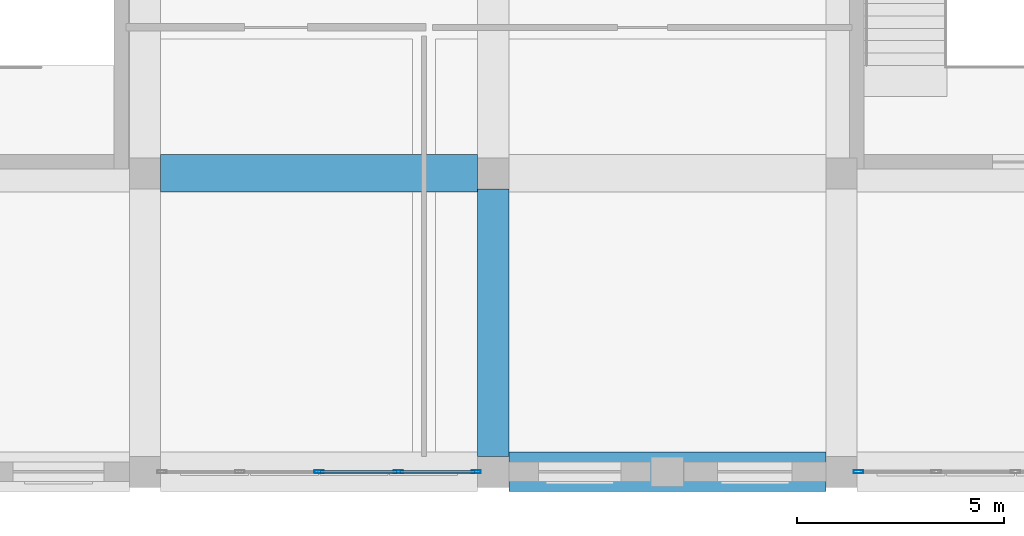
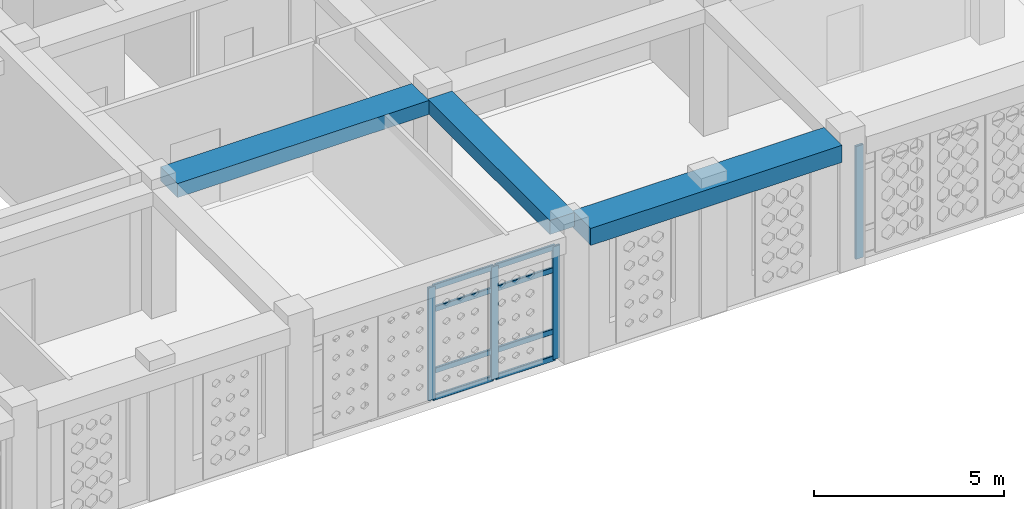
# One storey, part 24 of 111: 12 members, 3 beams, 2 elements without a shape of their own.
"""IFC4 building model written with IfcOpenShell, lengths in metres."""

import ifcopenshell
import ifcopenshell.guid

model = None  # the IFC model being written
_history = None  # IfcOwnerHistory: only IFC2X3 demands one
_inside = {}  # id of a spatial element -> (the spatial element, [elements in it])
_under = {}  # id of a project, library or spatial element -> (it, [spatial elements below it])
_declared = {}  # id of a project -> (the project, [libraries it declares])
_typed = {}  # id of a type object -> (the type object, [elements of that type])
_made_of = {}  # id of a material, layer set ... -> (it, [elements and type objects made of it])


def new_model(schema):
    """Start an empty IFC model of exactly this schema.

    Asked for "IFC4X3", IfcOpenShell would pick the latest addendum, in which some entities
    have other attributes; the version numbers below select the first issue.
    IFC2X3 requires an IfcOwnerHistory on every rooted entity: one is made here for all.
    """
    global model, _history
    if schema == "IFC4X3":
        model = ifcopenshell.file(schema_version=(4, 3, 0, 0))
    else:
        model = ifcopenshell.file(schema=schema)
    _inside.clear()
    _under.clear()
    _declared.clear()
    _typed.clear()
    _made_of.clear()
    _history = None
    if model.schema == "IFC2X3":
        org = make("IfcOrganization", Name="unknown")
        user = make(
            "IfcPersonAndOrganization",
            ThePerson=make("IfcPerson", FamilyName="unknown"),
            TheOrganization=org,
        )
        app = make(
            "IfcApplication",
            ApplicationDeveloper=org,
            Version="unknown",
            ApplicationFullName="unknown",
            ApplicationIdentifier="unknown",
        )
        _history = make(
            "IfcOwnerHistory",
            OwningUser=user,
            OwningApplication=app,
            ChangeAction="ADDED",
            CreationDate=0,
        )
    return model


def make(cls, **values):
    """One entity of the class cls with the attributes given. An attribute that is None is left unset."""
    return model.create_entity(
        cls, **{name: value for name, value in values.items() if value is not None}
    )


def rooted(cls, **values):
    """An entity with a GlobalId (a new one), such as an element, a storey or a relation."""
    return make(cls, GlobalId=ifcopenshell.guid.new(), OwnerHistory=_history, **values)


def si_unit(unit_type, name, prefix=None):
    """IfcSIUnit, for example si_unit("LENGTHUNIT", "METRE", prefix="MILLI")."""
    return make("IfcSIUnit", UnitType=unit_type, Prefix=prefix, Name=name)


def derived_unit(unit_type, elements):
    """IfcDerivedUnit: a product of units, each with its exponent."""
    return make(
        "IfcDerivedUnit",
        Elements=[
            make("IfcDerivedUnitElement", Unit=unit, Exponent=power)
            for unit, power in elements
        ],
        UnitType=unit_type,
    )


def assignment(units):
    """IfcUnitAssignment: the units of a project."""
    return None if units is None else make("IfcUnitAssignment", Units=units)


def point(xyz):
    """IfcCartesianPoint."""
    return None if xyz is None else make("IfcCartesianPoint", Coordinates=xyz)


def direction(xyz):
    """IfcDirection."""
    return None if xyz is None else make("IfcDirection", DirectionRatios=xyz)


def frame(location, z_axis=None, x_axis=None):
    """IfcAxis2Placement3D, a coordinate frame: its origin and axes. An axis left out is left unset."""
    return make(
        "IfcAxis2Placement3D",
        Location=point(location),
        Axis=direction(z_axis),
        RefDirection=direction(x_axis),
    )


def frame_2d(location, x_axis=None):
    """IfcAxis2Placement2D, a coordinate frame in the plane: its origin and x axis."""
    return make(
        "IfcAxis2Placement2D", Location=point(location), RefDirection=direction(x_axis)
    )


def origin():
    """The frame at (0, 0, 0) with its axes left unset."""
    return frame((0.0, 0.0, 0.0))


def origin_2d():
    """The frame at (0, 0) in the plane with its x axis left unset."""
    return frame_2d((0.0, 0.0))


def place(relative_to, where):
    """IfcLocalPlacement: puts the frame where relative to a parent placement (None: the world)."""
    return make(
        "IfcLocalPlacement", PlacementRelTo=relative_to, RelativePlacement=where
    )


def context(
    kind, dimensions, precision=None, world=None, true_north=None, identifier=None
):
    """IfcGeometricRepresentationContext, for example the 3D "Model" context."""
    return make(
        "IfcGeometricRepresentationContext",
        ContextIdentifier=identifier,
        ContextType=kind,
        CoordinateSpaceDimension=dimensions,
        Precision=precision,
        WorldCoordinateSystem=world,
        TrueNorth=true_north,
    )


def subcontext(parent, identifier, kind, view, scale=None):
    """IfcGeometricRepresentationSubContext, for example "Body" below "Model"."""
    return make(
        "IfcGeometricRepresentationSubContext",
        ContextIdentifier=identifier,
        ContextType=kind,
        ParentContext=parent,
        TargetScale=scale,
        TargetView=view,
    )


def project(units=None, contexts=None):
    """IfcProject with its units and contexts."""
    return rooted(
        "IfcProject",
        Name="project",
        RepresentationContexts=contexts,
        UnitsInContext=assignment(units),
    )


def spatial(cls, under=None, at=None, **own):
    """A site, building, storey or space (cls), placed at a placement, below another one or the project."""
    s = rooted(cls, ObjectPlacement=at, **own)
    if under is not None:
        _under.setdefault(under.id(), (under, []))[1].append(s)
    return s


def profile(cls, at=None, kind="AREA", **sizes):
    """A parametric profile (cls). Its sizes go by their IFC names, for example OverallWidth=200.0."""
    return make(cls, ProfileType=kind, Position=at, **sizes)


def rectangle(**sizes):
    """IfcRectangleProfileDef."""
    return profile("IfcRectangleProfileDef", **sizes)


def hollow_rectangle(**sizes):
    """IfcRectangleHollowProfileDef."""
    return profile("IfcRectangleHollowProfileDef", **sizes)


def extrude(swept, where, along, depth):
    """IfcExtrudedAreaSolid: the profile swept, set in the frame where, extruded along a direction by depth."""
    return make(
        "IfcExtrudedAreaSolid",
        SweptArea=swept,
        Position=where,
        ExtrudedDirection=direction(along),
        Depth=depth,
    )


def shape(context_of_items, identifier, shape_type, items):
    """IfcShapeRepresentation: the items that make up one representation, for example the "Body"."""
    return make(
        "IfcShapeRepresentation",
        ContextOfItems=context_of_items,
        RepresentationIdentifier=identifier,
        RepresentationType=shape_type,
        Items=items,
    )


def material(Name=None, Category=None):
    """IfcMaterial."""
    return make("IfcMaterial", Name=Name, Category=Category)


def material_profile(
    of_material, cross_section, Name=None, Category=None, Priority=None
):
    """IfcMaterialProfile: a cross section and its material."""
    return make(
        "IfcMaterialProfile",
        Name=Name,
        Material=of_material,
        Profile=cross_section,
        Priority=Priority,
        Category=Category,
    )


def profile_set(profiles, Name=None, composite=None):
    """IfcMaterialProfileSet."""
    return make(
        "IfcMaterialProfileSet",
        Name=Name,
        MaterialProfiles=profiles,
        CompositeProfile=composite,
    )


def made_of(thing, what):
    """Note that an element or type object is made of a material, layer set ...; save() writes the relation."""
    if what is not None:
        _made_of.setdefault(what.id(), (what, []))[1].append(thing)
    return thing


def type_object(cls, material=None, **own):
    """A type object (cls), such as IfcWallType, which elements share."""
    return made_of(rooted(cls, **own), material)


def element(
    cls,
    number,
    at=None,
    inside=None,
    cuts=None,
    type_object=None,
    material=None,
    context=None,
    identifier="Body",
    shape_type=None,
    held_by="IfcProductDefinitionShape",
    body=None,
    shapes=None,
    **own,
):
    """One element of the class cls, such as IfcWall. Its Tag is "e" and its number.

    at: its placement. inside: the storey or other place that contains it. cuts: it is an
    opening in that element (IfcRelVoidsElement). A single representation is given by context,
    identifier, shape_type and body (its items); several are given by shapes. held_by: the class
    of the entity that holds the representations. save() writes the other relations.
    """
    e = rooted(cls, Tag="e%d" % number, ObjectPlacement=at, **own)
    if body is not None:
        shapes = [shape(context, identifier, shape_type, body)]
    if shapes is not None:
        e.Representation = make(held_by, Representations=shapes)
    if inside is not None:
        _inside.setdefault(inside.id(), (inside, []))[1].append(e)
    if cuts is not None:
        rooted(
            "IfcRelVoidsElement", RelatingBuildingElement=cuts, RelatedOpeningElement=e
        )
    if type_object is not None:
        _typed.setdefault(type_object.id(), (type_object, []))[1].append(e)
    return made_of(e, material)


def aggregate(whole, parts):
    """IfcRelAggregates: a whole, such as a stair, and the parts it consists of."""
    return rooted("IfcRelAggregates", RelatingObject=whole, RelatedObjects=parts)


def save(model, path):
    """Write the relations noted so far, then the file.

    IfcRelAggregates (storeys below a building ...), IfcRelContainedInSpatialStructure (elements
    in a storey), IfcRelDefinesByType, IfcRelAssociatesMaterial and IfcRelDeclares: one each for
    every whole, place, type object, material and project.
    """
    for whole, parts in _under.values():
        aggregate(whole, parts)
    for where, things in _inside.values():
        rooted(
            "IfcRelContainedInSpatialStructure",
            RelatedElements=things,
            RelatingStructure=where,
        )
    for kind, things in _typed.values():
        rooted("IfcRelDefinesByType", RelatedObjects=things, RelatingType=kind)
    for what, things in _made_of.values():
        rooted("IfcRelAssociatesMaterial", RelatedObjects=things, RelatingMaterial=what)
    for by, libraries in _declared.values():
        rooted("IfcRelDeclares", RelatingContext=by, RelatedDefinitions=libraries)
    model.write(path)


model = new_model("IFC4")

# Units and contexts
model_context = context("Model", 3, precision=1e-05, world=origin(), true_north=direction((0.0, 1.0)))
body_context = subcontext(model_context, "Body", "Model", "MODEL_VIEW")
ifc_project = project(units=[si_unit("LENGTHUNIT", "METRE"), si_unit("AREAUNIT", "SQUARE_METRE"), si_unit("VOLUMEUNIT", "CUBIC_METRE"), si_unit("PLANEANGLEUNIT", "RADIAN"), si_unit("MASSUNIT", "GRAM", prefix="KILO"), derived_unit("THERMALTRANSMITTANCEUNIT", [(si_unit("POWERUNIT", "WATT"), 1), (si_unit("LENGTHUNIT", "METRE"), -2), (si_unit("THERMODYNAMICTEMPERATUREUNIT", "KELVIN"), -1)])], contexts=[model_context])

# Site, building, storey
site_placement = place(None, origin())
site = spatial("IfcSite", under=ifc_project, at=site_placement, CompositionType="ELEMENT")
building_placement = place(site_placement, origin())
building = spatial("IfcBuilding", under=site, at=building_placement, Name="Veybourne Emporium", CompositionType="ELEMENT")
storey_placement = place(building_placement, frame((0.0, 0.0, 9.89990234375)))
storey = spatial("IfcBuildingStorey", under=building, at=storey_placement, Name="L02", CompositionType="ELEMENT", Elevation=9.89990234375)

# Curtain wall, members
ifc_material_1 = material(Name="Patinated Architectural Bronze", Category="bronze")
curtain_wall_type_1 = type_object("IfcCurtainWallType", Name="CWSystem_CWS-25", PredefinedType="NOTDEFINED", material=ifc_material_1)
curtain_wall_1_placement = place(storey_placement, origin())
curtain_wall_1 = element("IfcCurtainWall", 1, at=curtain_wall_1_placement, inside=storey, type_object=curtain_wall_type_1, Name="L02 bronze glazed curtain wall CWS-25 (063)", PredefinedType="NOTDEFINED")
ifc_material_profile_1 = material_profile(ifc_material_1, hollow_rectangle(XDim=0.072021484375, YDim=0.22509765625, WallThickness=0.0048828125, InnerFilletRadius=0.007568359375, OuterFilletRadius=0.012451171875, at=origin_2d()), Name="CWM 72x225x5")
ifc_profile_set_1 = profile_set([ifc_material_profile_1], Name="Patinated Architectural Bronze")
member_type_1 = type_object("IfcMemberType", Name="CWMullion_CW-M1", PredefinedType="MULLION", material=ifc_profile_set_1)
member_1_placement = place(storey_placement, frame((117.18896484375, 0.0, 0.0), z_axis=(0.0, 0.0, 1.0), x_axis=(0.0, -1.0, 0.0)))
member_1 = element("IfcMember", 2, at=member_1_placement, type_object=member_type_1, Name="CWS-25 mullion 1", PredefinedType="MULLION", context=body_context, shape_type="SweptSolid", body=[
    extrude(hollow_rectangle(XDim=0.072021484375, YDim=0.22509765625, WallThickness=0.0048828125, InnerFilletRadius=0.007568359375, OuterFilletRadius=0.012451171875, at=origin_2d()), origin(), (0.0, 0.0, 1.0), 3.630126953125),
])
member_2_placement = place(storey_placement, frame((115.3125, 0.0, 0.0), z_axis=(0.0, 0.0, 1.0), x_axis=(0.0, -1.0, 0.0)))
member_2 = element("IfcMember", 3, at=member_2_placement, type_object=member_type_1, Name="CWS-25 mullion 2", PredefinedType="MULLION", context=body_context, shape_type="SweptSolid", body=[
    extrude(hollow_rectangle(XDim=0.072021484375, YDim=0.22509765625, WallThickness=0.0048828125, InnerFilletRadius=0.007568359375, OuterFilletRadius=0.012451171875, at=origin_2d()), origin(), (0.0, 0.0, 1.0), 3.630126953125),
])
member_3_placement = place(storey_placement, frame((113.39990234375, 0.0, 0.0), z_axis=(0.0, 0.0, 1.0), x_axis=(0.0, -1.0, 0.0)))
member_3 = element("IfcMember", 4, at=member_3_placement, type_object=member_type_1, Name="CWS-25 mullion 3", PredefinedType="MULLION", context=body_context, shape_type="SweptSolid", body=[
    extrude(hollow_rectangle(XDim=0.072021484375, YDim=0.22509765625, WallThickness=0.0048828125, InnerFilletRadius=0.007568359375, OuterFilletRadius=0.012451171875, at=origin_2d()), origin(), (0.0, 0.0, 1.0), 3.630126953125),
])

# Curtain wall, member
curtain_wall_type_2 = type_object("IfcCurtainWallType", Name="CWSystem_CWS-27", PredefinedType="NOTDEFINED", material=ifc_material_1)
curtain_wall_2_placement = place(storey_placement, origin())
curtain_wall_2 = element("IfcCurtainWall", 5, at=curtain_wall_2_placement, inside=storey, type_object=curtain_wall_type_2, Name="L02 bronze glazed curtain wall CWS-27 (067)", PredefinedType="NOTDEFINED")
ifc_material_profile_2 = material_profile(ifc_material_1, hollow_rectangle(XDim=0.077880859375, YDim=0.235107421875, WallThickness=0.0048828125, InnerFilletRadius=0.007568359375, OuterFilletRadius=0.012451171875, at=origin_2d()), Name="CWM 78x235x5")
ifc_profile_set_2 = profile_set([ifc_material_profile_2], Name="Patinated Architectural Bronze")
member_type_2 = type_object("IfcMemberType", Name="CWMullion_CW-M3", PredefinedType="MULLION", material=ifc_profile_set_2)
member_4_placement = place(storey_placement, frame((126.4140625, 0.0, 0.0), z_axis=(0.0, 0.0, 1.0), x_axis=(0.0, -1.0, 0.0)))
member_4 = element("IfcMember", 6, at=member_4_placement, type_object=member_type_2, Name="CWS-27 mullion 5", PredefinedType="MULLION", context=body_context, shape_type="SweptSolid", body=[
    extrude(hollow_rectangle(XDim=0.077880859375, YDim=0.235107421875, WallThickness=0.0048828125, InnerFilletRadius=0.007568359375, OuterFilletRadius=0.012451171875, at=origin_2d()), origin(), (0.0, 0.0, 1.0), 3.630126953125),
])
aggregate(curtain_wall_2, [member_4])

# Member
ifc_material_profile_3 = material_profile(ifc_material_1, hollow_rectangle(XDim=0.072021484375, YDim=0.175048828125, WallThickness=0.0048828125, InnerFilletRadius=0.007568359375, OuterFilletRadius=0.012451171875, at=origin_2d()), Name="CWT 72x175x5")
ifc_profile_set_3 = profile_set([ifc_material_profile_3], Name="Patinated Architectural Bronze")
member_type_3 = type_object("IfcMemberType", Name="CWTransom_CW-T1", PredefinedType="NOTDEFINED", material=ifc_profile_set_3)
member_5_placement = place(storey_placement, frame((117.153076171875, 0.0, 0.0361328125), z_axis=(-1.0, 0.0, 0.0), x_axis=(0.0, -1.0, 0.0)))
member_5 = element("IfcMember", 7, at=member_5_placement, type_object=member_type_3, Name="CWS-25 transom 1.1", ObjectType="TRANSOM", PredefinedType="USERDEFINED", context=body_context, shape_type="SweptSolid", body=[
    extrude(hollow_rectangle(XDim=0.072021484375, YDim=0.175048828125, WallThickness=0.0048828125, InnerFilletRadius=0.007568359375, OuterFilletRadius=0.012451171875, at=origin_2d()), origin(), (0.0, 0.0, 1.0), 1.8046875),
])

member_6_placement = place(storey_placement, frame((117.153076171875, 0.0, 0.900146484375), z_axis=(-1.0, 0.0, 0.0), x_axis=(0.0, -1.0, 0.0)))
member_6 = element("IfcMember", 8, at=member_6_placement, type_object=member_type_3, Name="CWS-25 transom 1.2", ObjectType="TRANSOM", PredefinedType="USERDEFINED", context=body_context, shape_type="SweptSolid", body=[
    extrude(hollow_rectangle(XDim=0.072021484375, YDim=0.175048828125, WallThickness=0.0048828125, InnerFilletRadius=0.007568359375, OuterFilletRadius=0.012451171875, at=origin_2d()), origin(), (0.0, 0.0, 1.0), 1.8046875),
])

member_7_placement = place(storey_placement, frame((117.153076171875, 0.0, 2.880126953125), z_axis=(-1.0, 0.0, 0.0), x_axis=(0.0, -1.0, 0.0)))
member_7 = element("IfcMember", 9, at=member_7_placement, type_object=member_type_3, Name="CWS-25 transom 1.3", ObjectType="TRANSOM", PredefinedType="USERDEFINED", context=body_context, shape_type="SweptSolid", body=[
    extrude(hollow_rectangle(XDim=0.072021484375, YDim=0.175048828125, WallThickness=0.0048828125, InnerFilletRadius=0.007568359375, OuterFilletRadius=0.012451171875, at=origin_2d()), origin(), (0.0, 0.0, 1.0), 1.8046875),
])

member_8_placement = place(storey_placement, frame((117.153076171875, 0.0, 3.593994140625), z_axis=(-1.0, 0.0, 0.0), x_axis=(0.0, -1.0, 0.0)))
member_8 = element("IfcMember", 10, at=member_8_placement, type_object=member_type_3, Name="CWS-25 transom 1.4", ObjectType="TRANSOM", PredefinedType="USERDEFINED", context=body_context, shape_type="SweptSolid", body=[
    extrude(hollow_rectangle(XDim=0.072021484375, YDim=0.175048828125, WallThickness=0.0048828125, InnerFilletRadius=0.007568359375, OuterFilletRadius=0.012451171875, at=origin_2d()), origin(), (0.0, 0.0, 1.0), 1.8046875),
])

member_9_placement = place(storey_placement, frame((115.276611328125, 0.0, 0.0361328125), z_axis=(-1.0, 0.0, 0.0), x_axis=(0.0, -1.0, 0.0)))
member_9 = element("IfcMember", 11, at=member_9_placement, type_object=member_type_3, Name="CWS-25 transom 2.1", ObjectType="TRANSOM", PredefinedType="USERDEFINED", context=body_context, shape_type="SweptSolid", body=[
    extrude(hollow_rectangle(XDim=0.072021484375, YDim=0.175048828125, WallThickness=0.0048828125, InnerFilletRadius=0.007568359375, OuterFilletRadius=0.012451171875, at=origin_2d()), origin(), (0.0, 0.0, 1.0), 1.840576171875),
])

member_10_placement = place(storey_placement, frame((115.276611328125, 0.0, 0.900146484375), z_axis=(-1.0, 0.0, 0.0), x_axis=(0.0, -1.0, 0.0)))
member_10 = element("IfcMember", 12, at=member_10_placement, type_object=member_type_3, Name="CWS-25 transom 2.2", ObjectType="TRANSOM", PredefinedType="USERDEFINED", context=body_context, shape_type="SweptSolid", body=[
    extrude(hollow_rectangle(XDim=0.072021484375, YDim=0.175048828125, WallThickness=0.0048828125, InnerFilletRadius=0.007568359375, OuterFilletRadius=0.012451171875, at=origin_2d()), origin(), (0.0, 0.0, 1.0), 1.840576171875),
])

member_11_placement = place(storey_placement, frame((115.276611328125, 0.0, 2.880126953125), z_axis=(-1.0, 0.0, 0.0), x_axis=(0.0, -1.0, 0.0)))
member_11 = element("IfcMember", 13, at=member_11_placement, type_object=member_type_3, Name="CWS-25 transom 2.3", ObjectType="TRANSOM", PredefinedType="USERDEFINED", context=body_context, shape_type="SweptSolid", body=[
    extrude(hollow_rectangle(XDim=0.072021484375, YDim=0.175048828125, WallThickness=0.0048828125, InnerFilletRadius=0.007568359375, OuterFilletRadius=0.012451171875, at=origin_2d()), origin(), (0.0, 0.0, 1.0), 1.840576171875),
])

member_12_placement = place(storey_placement, frame((115.276611328125, 0.0, 3.593994140625), z_axis=(-1.0, 0.0, 0.0), x_axis=(0.0, -1.0, 0.0)))
member_12 = element("IfcMember", 14, at=member_12_placement, type_object=member_type_3, Name="CWS-25 transom 2.4", ObjectType="TRANSOM", PredefinedType="USERDEFINED", context=body_context, shape_type="SweptSolid", body=[
    extrude(hollow_rectangle(XDim=0.072021484375, YDim=0.175048828125, WallThickness=0.0048828125, InnerFilletRadius=0.007568359375, OuterFilletRadius=0.012451171875, at=origin_2d()), origin(), (0.0, 0.0, 1.0), 1.840576171875),
])

aggregate(curtain_wall_1, [member_1, member_2, member_3, member_5, member_6, member_7, member_8, member_9, member_10, member_11, member_12])

# Beams
ifc_material_2 = material(Name="Concrete C32/40", Category="concrete")
ifc_material_profile_4 = material_profile(ifc_material_2, rectangle(XDim=0.89990234375, YDim=0.449951171875, at=origin_2d()), Name="RC 900x450")
ifc_profile_set_4 = profile_set([ifc_material_profile_4], Name="Concrete C32/40")
beam_type_1 = type_object("IfcBeamType", Name="RCBeam_BB-03", PredefinedType="BEAM", material=ifc_profile_set_4)
beam_1_placement = place(storey_placement, frame((109.574951171875, 7.199951171875, 3.955078125), z_axis=(1.0, 0.0, 0.0), x_axis=(0.0, 1.0, 0.0)))
element("IfcBeam", 15, at=beam_1_placement, inside=storey, type_object=beam_type_1, Name="L02 X-grid beam BB-03 (13,1)", PredefinedType="BEAM", context=body_context, shape_type="SweptSolid", body=[
    extrude(rectangle(XDim=0.89990234375, YDim=0.449951171875, at=origin_2d()), origin(), (0.0, 0.0, 1.0), 7.650146484375),
])
ifc_material_profile_5 = material_profile(ifc_material_2, rectangle(XDim=0.75, YDim=0.449951171875, at=origin_2d()), Name="RC 750x450")
ifc_profile_set_5 = profile_set([ifc_material_profile_5], Name="Concrete C32/40")
beam_type_2 = type_object("IfcBeamType", Name="RCBeam_BB-04", PredefinedType="BEAM", material=ifc_profile_set_5)
beam_2_placement = place(storey_placement, frame((117.60009765625, 0.375, 3.955078125), z_axis=(0.0, 1.0, 0.0), x_axis=(-1.0, 0.0, 0.0)))
element("IfcBeam", 16, at=beam_2_placement, inside=storey, type_object=beam_type_2, Name="L02 Y-grid beam BB-04 (14,0)", PredefinedType="BEAM", context=body_context, shape_type="SweptSolid", body=[
    extrude(rectangle(XDim=0.75, YDim=0.449951171875, at=origin_2d()), origin(), (0.0, 0.0, 1.0), 6.449951171875),
])
ifc_material_profile_6 = material_profile(ifc_material_2, rectangle(XDim=0.949951171875, YDim=0.550048828125, at=origin_2d()), Name="RC 950x550")
ifc_profile_set_6 = profile_set([ifc_material_profile_6], Name="Concrete C32/40")
beam_type_3 = type_object("IfcBeamType", Name="RCBeam_EB-01", PredefinedType="SPANDREL", material=ifc_profile_set_6)
beam_3_placement = place(storey_placement, frame((117.97509765625, 0.0, 3.905029296875), z_axis=(1.0, 0.0, 0.0), x_axis=(0.0, 1.0, 0.0)))
element("IfcBeam", 17, at=beam_3_placement, inside=storey, type_object=beam_type_3, Name="L02 X-grid beam EB-01 (14,0)", PredefinedType="SPANDREL", context=body_context, shape_type="SweptSolid", body=[
    extrude(rectangle(XDim=0.949951171875, YDim=0.550048828125, at=origin_2d()), origin(), (0.0, 0.0, 1.0), 7.64990234375),
])

save(model, "model.ifc")
